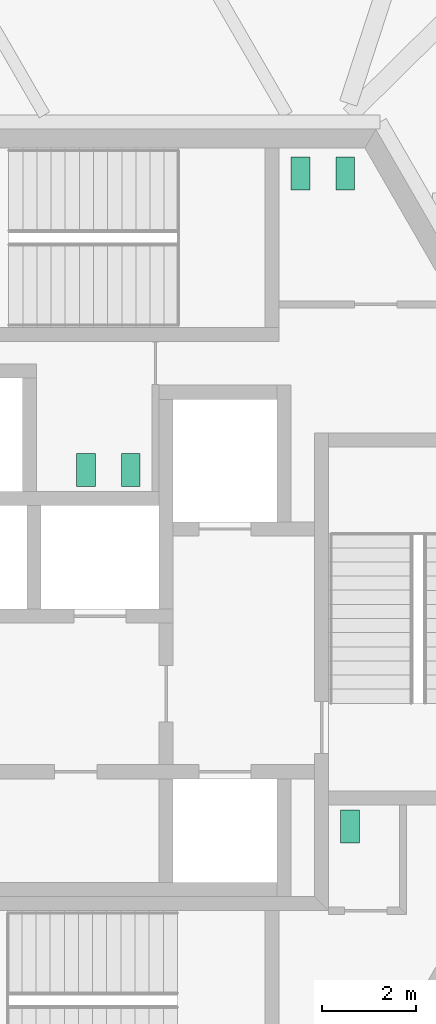
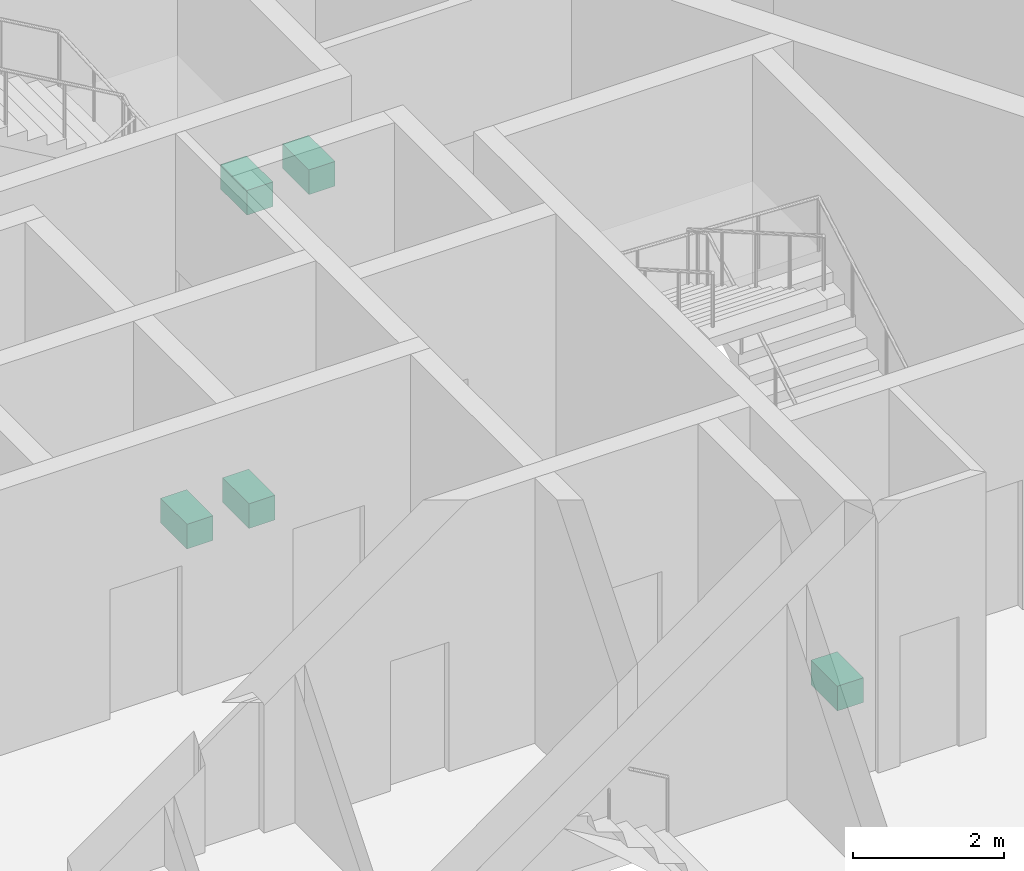
# One storey, part 27 of 27: 5 sanitary terminals.
"""IFC4 building model written with IfcOpenShell, lengths in metres."""

from ifc_helpers import new_model, si_unit, direction, frame, origin, origin_2d, place, context, subcontext, project, spatial, rectangle, extrude, source, transform, mapped, material, element, save


model = new_model("IFC4")

# Units and contexts
model_context = context("Model", 3, precision=1e-05, world=origin(), true_north=direction((0.0, 1.0)))
body_context = subcontext(model_context, "Body", "Model", "MODEL_VIEW")
ifc_project = project(units=[si_unit("LENGTHUNIT", "METRE"), si_unit("AREAUNIT", "SQUARE_METRE"), si_unit("VOLUMEUNIT", "CUBIC_METRE"), si_unit("PLANEANGLEUNIT", "RADIAN"), si_unit("MASSUNIT", "GRAM", prefix="KILO")], contexts=[model_context])

# Site, building, storey
site_placement = place(None, origin())
site = spatial("IfcSite", under=ifc_project, at=site_placement, CompositionType="ELEMENT")
building_placement = place(site_placement, origin())
building = spatial("IfcBuilding", under=site, at=building_placement, Name="Triune Harvest Tower", CompositionType="ELEMENT")
storey_placement = place(building_placement, frame((0.0, 0.0, 7.0)))
storey = spatial("IfcBuildingStorey", under=building, at=storey_placement, Name="L01", CompositionType="ELEMENT", Elevation=7.0)

# Sanitary terminals
ifc_material = material(Name="Vitreous china")
shared_shape = source(origin(), body_context, "Body", "SweptSolid", [
    extrude(rectangle(XDim=0.39990234375, YDim=0.699951171875, at=origin_2d()), origin(), (0.0, 0.0, 1.0), 0.39990234375),
])
for number, where, z_axis, x_axis, name in (
    (1, (4.39990234375, 9.449951171875, 0.0), (0.0, 0.0, 1.0), (1.0, 0.0, 0.0), "Toilet pan L01.c01"),
    (2, (5.35009765625, 9.449951171875, 0.0), (0.0, 0.0, 1.0), (1.0, 0.0, 0.0), "Toilet pan L01.c02"),
    (3, (0.800048828125, 3.159912109375, 0.0), (0.0, 0.0, 1.0), (-1.0, 0.0, 0.0), "Toilet pan L01.c03"),
    (4, (-0.14990234375, 3.159912109375, 0.0), (0.0, 0.0, 1.0), (-1.0, 0.0, 0.0), "Toilet pan L01.c04"),
    (5, (5.449951171875, -4.39990234375, 0.0), (0.0, 0.0, 1.0), (1.0, 0.0, 0.0), "Toilet pan L01.c05"),
):
    element("IfcSanitaryTerminal", number, at=place(storey_placement, frame(where, z_axis=z_axis, x_axis=x_axis)), inside=storey, material=ifc_material, Name=name, PredefinedType="TOILETPAN", context=body_context, shape_type="MappedRepresentation", body=[
        mapped(shared_shape, transform((0.0, 0.0, 0.0), scale=1.0)),
    ])

save(model, "model.ifc")
